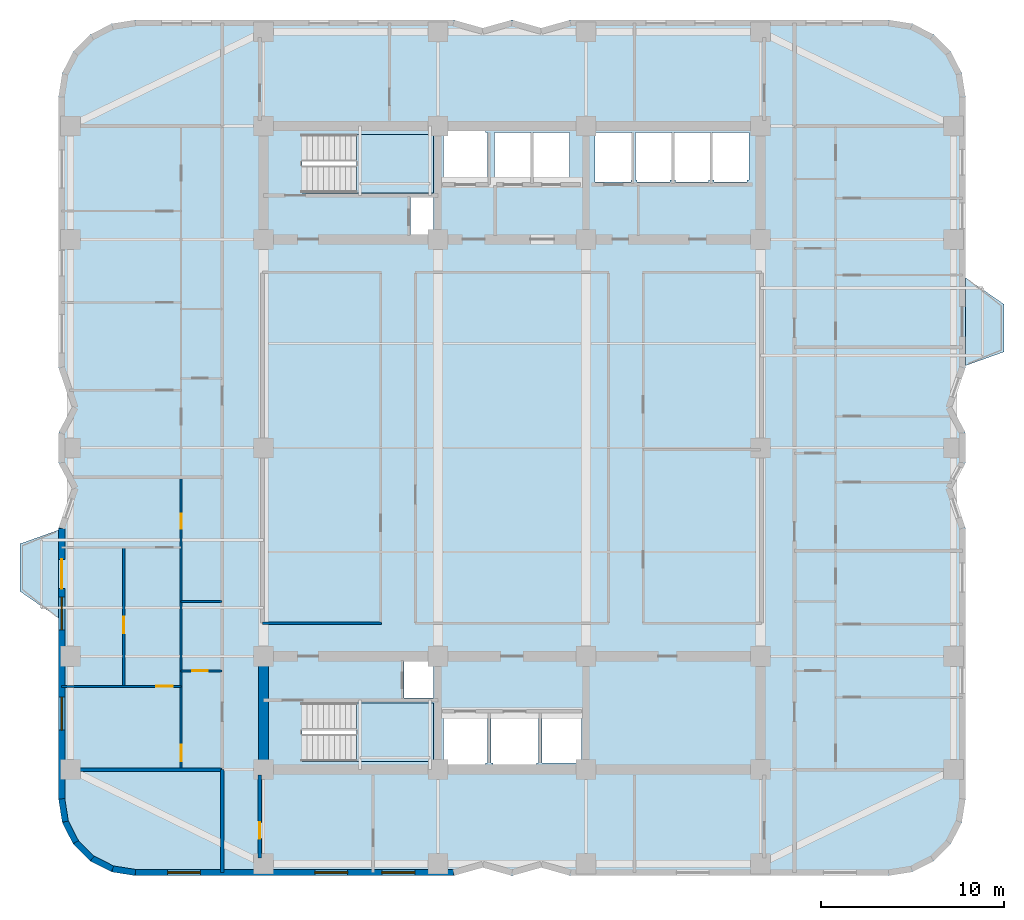
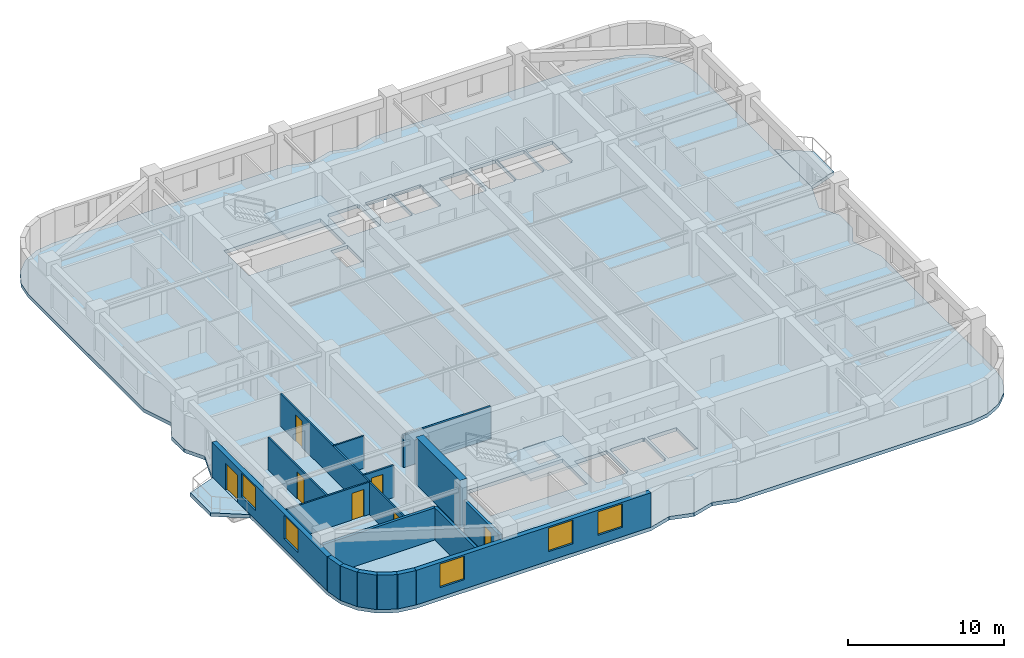
# One storey, part 2 of 9: 17 walls, 7 doors, 5 slabs, 5 windows, 12 openings, 2 elements without a shape of their own.
"""IFC4 building model written with IfcOpenShell, lengths in metres."""

from ifc_helpers import new_model, si_unit, direction, frame, frame_2d, origin, place, context, subcontext, project, spatial, polyline, rectangle, outline, extrude, material, layer, layer_set, type_object, element, fill, aggregate, save


model = new_model("IFC4")

# Units and contexts
model_context = context("Model", 3, precision=1e-05, world=origin(), true_north=direction((0.0, 1.0)))
body_context = subcontext(model_context, "Body", "Model", "MODEL_VIEW")
ifc_project = project(units=[si_unit("LENGTHUNIT", "METRE"), si_unit("AREAUNIT", "SQUARE_METRE"), si_unit("VOLUMEUNIT", "CUBIC_METRE"), si_unit("PLANEANGLEUNIT", "RADIAN"), si_unit("MASSUNIT", "GRAM", prefix="KILO")], contexts=[model_context])

# Site, building, storey
site_placement = place(None, origin())
site = spatial("IfcSite", under=ifc_project, at=site_placement, CompositionType="ELEMENT")
building_placement = place(site_placement, origin())
building = spatial("IfcBuilding", under=site, at=building_placement, Name="Svetorya Sky Lyceum", CompositionType="ELEMENT")
storey_placement = place(building_placement, frame((0.0, 0.0, 121.60009765625)))
storey = spatial("IfcBuildingStorey", under=building, at=storey_placement, Name="L30", CompositionType="ELEMENT", Elevation=121.60009765625)

# Slabs
ifc_material_1 = material(Name="Concrete C40/50", Category="concrete")
ifc_layer_1 = layer(ifc_material_1, 0.280029296875)
ifc_layer_set_1 = layer_set([ifc_layer_1], Name="Concrete C40/50")
slab_type_1 = type_object("IfcSlabType", Name="SL-BAL-280", PredefinedType="FLOOR", material=ifc_layer_set_1)
slab_1_placement = place(storey_placement, frame((0.0, 0.0, -0.280029296875)))
element("IfcSlab", 1, at=slab_1_placement, inside=storey, type_object=slab_type_1, Name="L30 Chamfered Loggia Balcony BAL-W1", PredefinedType="FLOOR", context=body_context, shape_type="SweptSolid", body=[
    extrude(outline(polyline([(14.389892578125, 18.89990234375), (14.389892578125, 23.699951171875), (12.2900390625, 22.949951171875), (12.2900390625, 20.35009765625), (14.389892578125, 18.89990234375)])), origin(), (0.0, 0.0, 1.0), 0.280029296875),
])
slab_2_placement = place(storey_placement, frame((0.0, 0.0, -0.280029296875)))
element("IfcSlab", 2, at=slab_2_placement, inside=storey, type_object=slab_type_1, Name="L30 Chamfered Loggia Balcony BAL-E1", PredefinedType="FLOOR", context=body_context, shape_type="SweptSolid", body=[
    extrude(outline(polyline([(64.010009765625, 32.699951171875), (66.110107421875, 33.449951171875), (66.110107421875, 36.050048828125), (64.010009765625, 37.5), (64.010009765625, 32.699951171875)])), origin(), (0.0, 0.0, 1.0), 0.280029296875),
])

# Stair, slab
stair_type_1 = type_object("IfcStairType", Name="STR-ST-S", PredefinedType="HALF_TURN_STAIR", material=ifc_material_1)
stair_1_placement = place(storey_placement, origin())
stair_1 = element("IfcStair", 3, at=stair_1_placement, inside=storey, type_object=stair_type_1, Name="L30 South Core Smoke-Free Exit Stair N2", PredefinedType="HALF_TURN_STAIR")
ifc_layer_2 = layer(ifc_material_1, 0.199951171875)
ifc_layer_set_2 = layer_set([ifc_layer_2], Name="Concrete C40/50")
slab_type_2 = type_object("IfcSlabType", Name="SL-STR-LAND-200", PredefinedType="LANDING", material=ifc_layer_set_2)
slab_3_placement = place(storey_placement, frame((0.0, 0.0, 1.64990234375)))
slab_3 = element("IfcSlab", 4, at=slab_3_placement, type_object=slab_type_2, Name="ST-S landing 1", PredefinedType="LANDING", context=body_context, shape_type="SweptSolid", body=[
    extrude(outline(polyline([(30.699951171875, 11.050048828125), (34.89990234375, 11.050048828125), (34.89990234375, 14.25), (30.699951171875, 14.25), (30.699951171875, 11.050048828125)])), origin(), (0.0, 0.0, 1.0), 0.199951171875),
])
aggregate(stair_1, [slab_3])

stair_type_2 = type_object("IfcStairType", Name="STR-ST-N", PredefinedType="HALF_TURN_STAIR", material=ifc_material_1)
stair_2_placement = place(storey_placement, origin())
stair_2 = element("IfcStair", 5, at=stair_2_placement, inside=storey, type_object=stair_type_2, Name="L30 North Core Smoke-Free Exit Stair N3", PredefinedType="HALF_TURN_STAIR")
slab_4_placement = place(storey_placement, frame((0.0, 0.0, 1.64990234375)))
slab_4 = element("IfcSlab", 6, at=slab_4_placement, type_object=slab_type_2, Name="ST-N landing 1", PredefinedType="LANDING", context=body_context, shape_type="SweptSolid", body=[
    extrude(outline(polyline([(30.699951171875, 42.14990234375), (34.89990234375, 42.14990234375), (34.89990234375, 45.35009765625), (30.699951171875, 45.35009765625), (30.699951171875, 42.14990234375)])), origin(), (0.0, 0.0, 1.0), 0.199951171875),
])
aggregate(stair_2, [slab_4])

# Slab
ifc_material_2 = material(Name="Concrete C50/60", Category="concrete")
ifc_layer_3 = layer(ifc_material_2, 0.280029296875)
ifc_layer_set_3 = layer_set([ifc_layer_3], Name="Concrete C50/60")
slab_type_3 = type_object("IfcSlabType", Name="SL-TWR-280", PredefinedType="FLOOR", material=ifc_layer_set_3)
slab_5_placement = place(storey_placement, frame((0.0, 0.0, -0.280029296875)))
element("IfcSlab", 7, at=slab_5_placement, inside=storey, type_object=slab_type_3, Name="L30 Structural Floor Slab", PredefinedType="FLOOR", context=body_context, shape_type="SweptSolid", body=[
    extrude(outline(polyline([(14.39990234375, 9.0), (14.605712890625, 7.7021484375), (15.2021484375, 6.53125), (16.13134765625, 5.60205078125), (17.302001953125, 5.005615234375), (18.60009765625, 4.800048828125), (36.0, 4.800048828125), (37.60009765625, 5.25), (39.199951171875, 4.800048828125), (40.800048828125, 5.25), (42.39990234375, 4.800048828125), (59.800048828125, 4.800048828125), (61.097900390625, 5.005615234375), (62.268798828125, 5.60205078125), (63.197998046875, 6.53125), (63.79443359375, 7.7021484375), (64.0, 9.0), (64.0, 23.800048828125), (63.25, 26.0), (64.0, 27.39990234375), (64.0, 29.0), (63.25, 30.39990234375), (64.0, 32.60009765625), (64.0, 47.39990234375), (63.79443359375, 48.697998046875), (63.197998046875, 49.86865234375), (62.268798828125, 50.7978515625), (61.097900390625, 51.394287109375), (59.800048828125, 51.60009765625), (42.39990234375, 51.60009765625), (40.800048828125, 51.14990234375), (39.199951171875, 51.60009765625), (37.60009765625, 51.14990234375), (36.0, 51.60009765625), (18.60009765625, 51.60009765625), (17.302001953125, 51.394287109375), (16.13134765625, 50.7978515625), (15.2021484375, 49.86865234375), (14.605712890625, 48.697998046875), (14.39990234375, 47.39990234375), (14.39990234375, 32.60009765625), (15.14990234375, 30.39990234375), (14.39990234375, 29.0), (14.39990234375, 27.39990234375), (15.14990234375, 26.0), (14.39990234375, 23.800048828125), (14.39990234375, 9.0)]), holes=[polyline([(37.85009765625, 10.949951171875), (37.75, 10.949951171875), (37.75, 10.85009765625), (35.550048828125, 10.85009765625), (35.550048828125, 10.949951171875), (35.449951171875, 10.949951171875), (35.449951171875, 13.64990234375), (35.550048828125, 13.64990234375), (37.75, 13.64990234375), (37.85009765625, 13.64990234375), (37.85009765625, 10.949951171875)]), polyline([(40.64990234375, 13.64990234375), (40.64990234375, 10.949951171875), (40.550048828125, 10.949951171875), (40.550048828125, 10.800048828125), (38.14990234375, 10.800048828125), (38.14990234375, 10.949951171875), (38.050048828125, 10.949951171875), (38.050048828125, 13.64990234375), (38.14990234375, 13.64990234375), (38.14990234375, 13.699951171875), (40.550048828125, 13.699951171875), (40.550048828125, 13.64990234375), (40.64990234375, 13.64990234375)]), polyline([(27.719970703125, 14.25), (34.89990234375, 14.25), (34.89990234375, 11.050048828125), (27.719970703125, 11.050048828125), (27.719970703125, 14.25)]), polyline([(33.300048828125, 14.52001953125), (33.300048828125, 16.580078125), (34.89990234375, 16.580078125), (34.89990234375, 14.52001953125), (33.300048828125, 14.52001953125)]), polyline([(33.64990234375, 41.89990234375), (34.89990234375, 41.89990234375), (34.89990234375, 39.820068359375), (33.64990234375, 39.820068359375), (33.64990234375, 41.89990234375)]), polyline([(27.719970703125, 45.35009765625), (34.89990234375, 45.35009765625), (34.89990234375, 42.14990234375), (27.719970703125, 42.14990234375), (27.719970703125, 45.35009765625)]), polyline([(37.75, 45.550048828125), (37.75, 45.449951171875), (37.85009765625, 45.449951171875), (37.85009765625, 42.75), (37.75, 42.75), (35.550048828125, 42.75), (35.449951171875, 42.75), (35.449951171875, 45.449951171875), (35.550048828125, 45.449951171875), (35.550048828125, 45.550048828125), (37.75, 45.550048828125)]), polyline([(38.39990234375, 42.85009765625), (38.25, 42.85009765625), (38.25, 45.449951171875), (38.39990234375, 45.449951171875), (40.199951171875, 45.449951171875), (40.25, 45.449951171875), (40.25, 42.85009765625), (40.199951171875, 42.85009765625), (40.199951171875, 42.75), (38.39990234375, 42.75), (38.39990234375, 42.85009765625)]), polyline([(40.85009765625, 13.64990234375), (43.0, 13.64990234375), (43.0, 10.949951171875), (40.85009765625, 10.949951171875), (40.85009765625, 13.64990234375)]), polyline([(40.39990234375, 42.85009765625), (40.35009765625, 42.85009765625), (40.35009765625, 45.449951171875), (40.39990234375, 45.449951171875), (42.300048828125, 45.449951171875), (42.35009765625, 45.449951171875), (42.35009765625, 42.85009765625), (42.300048828125, 42.85009765625), (42.300048828125, 42.75), (40.39990234375, 42.75), (40.39990234375, 42.85009765625)]), polyline([(43.75, 42.75), (43.75, 42.85009765625), (43.75, 45.449951171875), (45.699951171875, 45.449951171875), (45.75, 45.449951171875), (45.75, 42.85009765625), (45.699951171875, 42.85009765625), (45.699951171875, 42.75), (43.75, 42.75)]), polyline([(46.050048828125, 42.85009765625), (45.949951171875, 42.85009765625), (45.949951171875, 45.449951171875), (46.050048828125, 45.449951171875), (47.85009765625, 45.449951171875), (47.949951171875, 45.449951171875), (47.949951171875, 42.85009765625), (47.85009765625, 42.85009765625), (47.85009765625, 42.75), (46.050048828125, 42.75), (46.050048828125, 42.85009765625)]), polyline([(48.14990234375, 42.85009765625), (48.050048828125, 42.85009765625), (48.050048828125, 45.449951171875), (48.14990234375, 45.449951171875), (49.949951171875, 45.449951171875), (50.050048828125, 45.449951171875), (50.050048828125, 42.85009765625), (49.949951171875, 42.85009765625), (49.949951171875, 42.75), (48.14990234375, 42.75), (48.14990234375, 42.85009765625)]), polyline([(52.14990234375, 42.85009765625), (52.050048828125, 42.85009765625), (52.050048828125, 42.75), (50.25, 42.75), (50.25, 42.85009765625), (50.14990234375, 42.85009765625), (50.14990234375, 45.449951171875), (50.25, 45.449951171875), (52.050048828125, 45.449951171875), (52.14990234375, 45.449951171875), (52.14990234375, 42.85009765625)])]), origin(), (0.0, 0.0, 1.0), 0.280029296875),
])

# Walls
ifc_material_3 = material(Name="Concrete C60/75", Category="concrete")
ifc_layer_4 = layer(ifc_material_3, 0.550048828125)
ifc_layer_set_4 = layer_set([ifc_layer_4], Name="Concrete C60/75")
wall_type_1 = type_object("IfcWallType", Name="WL-CORE-550", PredefinedType="SHEAR", material=ifc_layer_set_4)
wall_1_placement = place(storey_placement, frame((25.60009765625, 10.875, 0.0), z_axis=(0.0, 0.0, 1.0), x_axis=(0.0, 1.0, 0.0)))
element("IfcWall", 8, at=wall_1_placement, inside=storey, type_object=wall_type_1, Name="L30 SC West Core Shear Wall", PredefinedType="SHEAR", context=body_context, shape_type="SweptSolid", body=[
    extrude(rectangle(XDim=5.64990234375, YDim=0.550048828125, at=frame_2d((2.824951171875, 0.0))), origin(), (0.0, 0.0, 1.0), 3.699951171875),
])
ifc_material_4 = material(Name="Putilovo limestone rainscreen on autoclaved cellular masonry", Category="masonry")
ifc_layer_5 = layer(ifc_material_4, 0.340087890625)
ifc_layer_set_5 = layer_set([ifc_layer_5], Name="Putilovo limestone rainscreen on autoclaved cellular masonry")
wall_type_2 = type_object("IfcWallType", Name="WL-EXT-340", PredefinedType="SOLIDWALL", material=ifc_layer_set_5)
wall_2_placement = place(storey_placement, frame((14.570068359375, 9.0, 0.0), z_axis=(0.0, 0.0, 1.0), x_axis=(0.156260864002, -0.98771582066, 0.0)))
element("IfcWall", 9, at=wall_2_placement, inside=storey, type_object=wall_type_2, Name="L30 Limestone Exterior Wall 1M", PredefinedType="SOLIDWALL", context=body_context, shape_type="SweptSolid", body=[
    extrude(rectangle(XDim=1.2607421875, YDim=0.340087890625, at=frame_2d((0.63037109375, 0.0))), origin(), (0.0, 0.0, 1.0), 2.699951171875),
])
wall_3_placement = place(storey_placement, frame((14.76708984375, 7.754638671875, 0.0), z_axis=(0.0, 0.0, 1.0), x_axis=(0.454015689056, -0.890993689142, 0.0)))
element("IfcWall", 10, at=wall_3_placement, inside=storey, type_object=wall_type_2, Name="L30 Limestone Exterior Wall 2M", PredefinedType="SOLIDWALL", context=body_context, shape_type="SweptSolid", body=[
    extrude(rectangle(XDim=1.260986328125, YDim=0.340087890625, at=frame_2d((0.63037109375, 0.0))), origin(), (0.0, 0.0, 1.0), 2.699951171875),
])
wall_4_placement = place(storey_placement, frame((15.339599609375, 6.631103515625, 0.0), z_axis=(0.0, 0.0, 1.0), x_axis=(0.707203598708, -0.707009950407, 0.0)))
element("IfcWall", 11, at=wall_4_placement, inside=storey, type_object=wall_type_2, Name="L30 Limestone Exterior Wall 3M", PredefinedType="SOLIDWALL", context=body_context, shape_type="SweptSolid", body=[
    extrude(rectangle(XDim=1.2607421875, YDim=0.340087890625, at=frame_2d((0.63037109375, 0.0))), origin(), (0.0, 0.0, 1.0), 2.699951171875),
])
for number, where, z_axis, x_axis, name in (
    (12, (16.231201171875, 5.73974609375, 0.0), (0.0, 0.0, 1.0), (0.890993689142, -0.454015689056, 0.0), "L30 Limestone Exterior Wall 4M"),
    (13, (17.354736328125, 5.167236328125, 0.0), (0.0, 0.0, 1.0), (0.987685918112, -0.15644975923, 0.0), "L30 Limestone Exterior Wall 5M"),
):
    element("IfcWall", number, at=place(storey_placement, frame(where, z_axis=z_axis, x_axis=x_axis)), inside=storey, type_object=wall_type_2, Name=name, PredefinedType="SOLIDWALL", context=body_context, shape_type="SweptSolid", body=[
        extrude(rectangle(XDim=1.260986328125, YDim=0.340087890625, at=frame_2d((0.63037109375, 0.0))), origin(), (0.0, 0.0, 1.0), 2.699951171875),
    ])

# Wall, openings, windows
wall_5_placement = place(storey_placement, frame((18.60009765625, 4.969970703125, 0.0), z_axis=(0.0, 0.0, 1.0), x_axis=(1.0, 0.0, 0.0)))
wall_5 = element("IfcWall", 14, at=wall_5_placement, inside=storey, type_object=wall_type_2, Name="L30 Limestone Exterior Wall 6M", PredefinedType="SOLIDWALL", context=body_context, shape_type="SweptSolid", body=[
    extrude(rectangle(XDim=17.39990234375, YDim=0.340087890625, at=frame_2d((8.699951171875, 0.0))), origin(), (0.0, 0.0, 1.0), 2.699951171875),
])
opening_1_placement = place(wall_5_placement, frame((1.762451171875, 0.0, 0.72998046875)))
opening_1 = element("IfcOpeningElement", 15, at=opening_1_placement, cuts=wall_5, Name="Opening W-R1", PredefinedType="OPENING", context=body_context, shape_type="SweptSolid", body=[
    extrude(rectangle(XDim=1.800048828125, YDim=1.85009765625, at=frame_2d((0.89990234375, 0.925048828125))), frame((0.0, 0.179931640625, 0.0), z_axis=(0.0, -1.0, 0.0), x_axis=(1.0, 0.0, 0.0)), (0.0, 0.0, 1.0), 0.360107421875),
])
opening_2_placement = place(wall_5_placement, frame((9.8125, 0.0, 0.72998046875)))
opening_2 = element("IfcOpeningElement", 16, at=opening_2_placement, cuts=wall_5, Name="Opening W-R1", PredefinedType="OPENING", context=body_context, shape_type="SweptSolid", body=[
    extrude(rectangle(XDim=1.800048828125, YDim=1.85009765625, at=frame_2d((0.89990234375, 0.925048828125))), frame((0.0, 0.179931640625, 0.0), z_axis=(0.0, -1.0, 0.0), x_axis=(1.0, 0.0, 0.0)), (0.0, 0.0, 1.0), 0.360107421875),
])
opening_3_placement = place(wall_5_placement, frame((13.487548828125, 0.0, 0.72998046875)))
opening_3 = element("IfcOpeningElement", 17, at=opening_3_placement, cuts=wall_5, Name="Opening W-R1", PredefinedType="OPENING", context=body_context, shape_type="SweptSolid", body=[
    extrude(rectangle(XDim=1.800048828125, YDim=1.85009765625, at=frame_2d((0.89990234375, 0.925048828125))), frame((0.0, 0.179931640625, 0.0), z_axis=(0.0, -1.0, 0.0), x_axis=(1.0, 0.0, 0.0)), (0.0, 0.0, 1.0), 0.360107421875),
])
ifc_material_5 = material(Name="Thermally broken aluminium frame with triple low-E glazing", Category="aluminium")
window_type = type_object("IfcWindowType", Name="WN-RES-180", PartitioningType="DOUBLE_PANEL_VERTICAL", PredefinedType="WINDOW", material=ifc_material_5)
window_1_placement = place(opening_1_placement, origin())
window_1 = element("IfcWindow", 18, at=window_1_placement, inside=storey, type_object=window_type, Name="L30 Facade Window W-R1.6M.1", OverallHeight=1.85009765625, OverallWidth=1.800048828125, PartitioningType="SINGLE_PANEL", PredefinedType="WINDOW", context=body_context, shape_type="SweptSolid", body=[
    extrude(rectangle(XDim=1.800048828125, YDim=1.85009765625, at=frame_2d((0.89990234375, 0.925048828125))), frame((0.0, 0.030029296875, 0.0), z_axis=(0.0, -1.0, 0.0), x_axis=(1.0, 0.0, 0.0)), (0.0, 0.0, 1.0), 0.06005859375),
])
fill(opening_1, window_1)
window_2_placement = place(opening_2_placement, origin())
window_2 = element("IfcWindow", 19, at=window_2_placement, inside=storey, type_object=window_type, Name="L30 Facade Window W-R1.6M.2", OverallHeight=1.85009765625, OverallWidth=1.800048828125, PartitioningType="SINGLE_PANEL", PredefinedType="WINDOW", context=body_context, shape_type="SweptSolid", body=[
    extrude(rectangle(XDim=1.800048828125, YDim=1.85009765625, at=frame_2d((0.89990234375, 0.925048828125))), frame((0.0, 0.030029296875, 0.0), z_axis=(0.0, -1.0, 0.0), x_axis=(1.0, 0.0, 0.0)), (0.0, 0.0, 1.0), 0.06005859375),
])
fill(opening_2, window_2)
window_3_placement = place(opening_3_placement, origin())
window_3 = element("IfcWindow", 20, at=window_3_placement, inside=storey, type_object=window_type, Name="L30 Facade Window W-R1.6M.3", OverallHeight=1.85009765625, OverallWidth=1.800048828125, PartitioningType="SINGLE_PANEL", PredefinedType="WINDOW", context=body_context, shape_type="SweptSolid", body=[
    extrude(rectangle(XDim=1.800048828125, YDim=1.85009765625, at=frame_2d((0.89990234375, 0.925048828125))), frame((0.0, 0.030029296875, 0.0), z_axis=(0.0, -1.0, 0.0), x_axis=(1.0, 0.0, 0.0)), (0.0, 0.0, 1.0), 0.06005859375),
])
fill(opening_3, window_3)

# Wall, openings, door, windows
wall_6_placement = place(storey_placement, frame((14.570068359375, 23.800048828125, 0.0), z_axis=(0.0, 0.0, 1.0), x_axis=(0.0, -1.0, 0.0)))
wall_6 = element("IfcWall", 21, at=wall_6_placement, inside=storey, type_object=wall_type_2, Name="L30 Limestone Exterior Wall 46M", PredefinedType="SOLIDWALL", context=body_context, shape_type="SweptSolid", body=[
    extrude(rectangle(XDim=14.800048828125, YDim=0.340087890625, at=frame_2d((7.39990234375, 0.0))), origin(), (0.0, 0.0, 1.0), 2.699951171875),
])
opening_4_placement = place(wall_6_placement, frame((1.699951171875, 0.0, 0.0)))
opening_4 = element("IfcOpeningElement", 22, at=opening_4_placement, cuts=wall_6, Name="Opening D-BL1", PredefinedType="OPENING", context=body_context, shape_type="SweptSolid", body=[
    extrude(rectangle(XDim=1.60009765625, YDim=2.10009765625, at=frame_2d((0.800048828125, 1.050048828125))), frame((0.0, 0.179931640625, 0.0), z_axis=(0.0, -1.0, 0.0), x_axis=(1.0, 0.0, 0.0)), (0.0, 0.0, 1.0), 0.360107421875),
])
opening_5_placement = place(wall_6_placement, frame((3.762451171875, 0.0, 0.72998046875)))
opening_5 = element("IfcOpeningElement", 23, at=opening_5_placement, cuts=wall_6, Name="Opening W-R1", PredefinedType="OPENING", context=body_context, shape_type="SweptSolid", body=[
    extrude(rectangle(XDim=1.800048828125, YDim=1.85009765625, at=frame_2d((0.89990234375, 0.925048828125))), frame((0.0, 0.179931640625, 0.0), z_axis=(0.0, -1.0, 0.0), x_axis=(1.0, 0.0, 0.0)), (0.0, 0.0, 1.0), 0.360107421875),
])
opening_6_placement = place(wall_6_placement, frame((9.237548828125, 0.0, 0.72998046875)))
opening_6 = element("IfcOpeningElement", 24, at=opening_6_placement, cuts=wall_6, Name="Opening W-R1", PredefinedType="OPENING", context=body_context, shape_type="SweptSolid", body=[
    extrude(rectangle(XDim=1.800048828125, YDim=1.85009765625, at=frame_2d((0.89990234375, 0.925048828125))), frame((0.0, 0.179931640625, 0.0), z_axis=(0.0, -1.0, 0.0), x_axis=(1.0, 0.0, 0.0)), (0.0, 0.0, 1.0), 0.360107421875),
])
ifc_material_6 = material(Name="Insulated glazed aluminium balcony door", Category="aluminium")
door_type_1 = type_object("IfcDoorType", Name="DR-BAL-1600", OperationType="DOUBLE_DOOR_SINGLE_SWING", PredefinedType="DOOR", material=ifc_material_6)
door_1_placement = place(opening_4_placement, origin())
door_1 = element("IfcDoor", 25, at=door_1_placement, inside=storey, type_object=door_type_1, Name="L30 Balcony BAL-W1 Door", OperationType="DOUBLE_DOOR_SINGLE_SWING", OverallHeight=2.10009765625, OverallWidth=1.60009765625, PredefinedType="DOOR", context=body_context, shape_type="SweptSolid", body=[
    extrude(rectangle(XDim=1.60009765625, YDim=2.10009765625, at=frame_2d((0.800048828125, 1.050048828125))), frame((0.0, 0.02490234375, 0.0), z_axis=(0.0, -1.0, 0.0), x_axis=(1.0, 0.0, 0.0)), (0.0, 0.0, 1.0), 0.050048828125),
])
fill(opening_4, door_1)
window_4_placement = place(opening_5_placement, origin())
window_4 = element("IfcWindow", 26, at=window_4_placement, inside=storey, type_object=window_type, Name="L30 Facade Window W-R1.46M.1", OverallHeight=1.85009765625, OverallWidth=1.800048828125, PartitioningType="SINGLE_PANEL", PredefinedType="WINDOW", context=body_context, shape_type="SweptSolid", body=[
    extrude(rectangle(XDim=1.800048828125, YDim=1.85009765625, at=frame_2d((0.89990234375, 0.925048828125))), frame((0.0, 0.030029296875, 0.0), z_axis=(0.0, -1.0, 0.0), x_axis=(1.0, 0.0, 0.0)), (0.0, 0.0, 1.0), 0.06005859375),
])
fill(opening_5, window_4)
window_5_placement = place(opening_6_placement, origin())
window_5 = element("IfcWindow", 27, at=window_5_placement, inside=storey, type_object=window_type, Name="L30 Facade Window W-R1.46M.2", OverallHeight=1.85009765625, OverallWidth=1.800048828125, PartitioningType="SINGLE_PANEL", PredefinedType="WINDOW", context=body_context, shape_type="SweptSolid", body=[
    extrude(rectangle(XDim=1.800048828125, YDim=1.85009765625, at=frame_2d((0.89990234375, 0.925048828125))), frame((0.0, 0.030029296875, 0.0), z_axis=(0.0, -1.0, 0.0), x_axis=(1.0, 0.0, 0.0)), (0.0, 0.0, 1.0), 0.06005859375),
])
fill(opening_6, window_5)

# Wall, opening, door
ifc_material_7 = material(Name="Twin-stud galvanized framing with double fireboard", Category="gypsum")
ifc_layer_6 = layer(ifc_material_7, 0.1201171875)
ifc_layer_set_6 = layer_set([ifc_layer_6], Name="Twin-stud galvanized framing with double fireboard")
wall_type_3 = type_object("IfcWallType", Name="WL-PART-120", PredefinedType="PARTITIONING", material=ifc_layer_set_6)
wall_7_placement = place(storey_placement, frame((21.10009765625, 16.0, 0.0), z_axis=(0.0, 0.0, 1.0), x_axis=(1.0, 0.0, 0.0)))
wall_7 = element("IfcWall", 28, at=wall_7_placement, inside=storey, type_object=wall_type_3, Name="L30 Interior Partition W1-WH1", PredefinedType="PARTITIONING", context=body_context, shape_type="SweptSolid", body=[
    extrude(rectangle(XDim=2.25, YDim=0.1201171875, at=frame_2d((1.125, 0.0))), origin(), (0.0, 0.0, 1.0), 2.52978515625),
])
opening_7_placement = place(wall_7_placement, frame((0.60009765625, 0.0, 0.0)))
opening_7 = element("IfcOpeningElement", 29, at=opening_7_placement, cuts=wall_7, Name="Opening D-BT1", PredefinedType="OPENING", context=body_context, shape_type="SweptSolid", body=[
    extrude(rectangle(XDim=0.85009765625, YDim=2.10009765625, at=frame_2d((0.425048828125, 1.050048828125))), frame((0.0, 0.070068359375, 0.0), z_axis=(0.0, -1.0, 0.0), x_axis=(1.0, 0.0, 0.0)), (0.0, 0.0, 1.0), 0.14013671875),
])
ifc_material_8 = material(Name="Moisture-resistant laminate bathroom door")
door_type_2 = type_object("IfcDoorType", Name="DR-WET-850", OperationType="SINGLE_SWING_LEFT", PredefinedType="DOOR", material=ifc_material_8)
door_2_placement = place(opening_7_placement, origin())
door_2 = element("IfcDoor", 30, at=door_2_placement, inside=storey, type_object=door_type_2, Name="Apartment W1 Bathroom Door", OperationType="SINGLE_SWING_LEFT", OverallHeight=2.10009765625, OverallWidth=0.85009765625, PredefinedType="DOOR", context=body_context, shape_type="SweptSolid", body=[
    extrude(rectangle(XDim=0.85009765625, YDim=2.10009765625, at=frame_2d((0.425048828125, 1.050048828125))), frame((0.0, 0.02490234375, 0.0), z_axis=(0.0, -1.0, 0.0), x_axis=(1.0, 0.0, 0.0)), (0.0, 0.0, 1.0), 0.050048828125),
])
fill(opening_7, door_2)

# Wall
wall_8_placement = place(storey_placement, frame((21.10009765625, 19.800048828125, 0.0), z_axis=(0.0, 0.0, 1.0), x_axis=(1.0, 0.0, 0.0)))
element("IfcWall", 31, at=wall_8_placement, inside=storey, type_object=wall_type_3, Name="L30 Interior Partition W1-WH2", PredefinedType="PARTITIONING", context=body_context, shape_type="SweptSolid", body=[
    extrude(rectangle(XDim=2.25, YDim=0.1201171875, at=frame_2d((1.125, 0.0))), origin(), (0.0, 0.0, 1.0), 2.52978515625),
])

# Wall, opening, door
wall_9_placement = place(storey_placement, frame((17.96630859375, 15.18994140625, 0.0), z_axis=(0.0, 0.0, 1.0), x_axis=(0.0, 1.0, 0.0)))
wall_9 = element("IfcWall", 32, at=wall_9_placement, inside=storey, type_object=wall_type_3, Name="L30 Interior Partition W1-BVD1", PredefinedType="PARTITIONING", context=body_context, shape_type="SweptSolid", body=[
    extrude(rectangle(XDim=7.52001953125, YDim=0.1201171875, at=frame_2d((3.760009765625, 0.0))), origin(), (0.0, 0.0, 1.0), 2.52978515625),
])
opening_8_placement = place(wall_9_placement, frame((2.860107421875, 0.0, 0.0)))
opening_8 = element("IfcOpeningElement", 33, at=opening_8_placement, cuts=wall_9, Name="Opening D-RM1", PredefinedType="OPENING", context=body_context, shape_type="SweptSolid", body=[
    extrude(rectangle(XDim=0.89990234375, YDim=2.10009765625, at=frame_2d((0.449951171875, 1.050048828125))), frame((0.0, 0.070068359375, 0.0), z_axis=(0.0, -1.0, 0.0), x_axis=(1.0, 0.0, 0.0)), (0.0, 0.0, 1.0), 0.14013671875),
])
ifc_material_9 = material(Name="Lacquered birch veneer internal door")
door_type_3 = type_object("IfcDoorType", Name="DR-INT-900", OperationType="SINGLE_SWING_LEFT", PredefinedType="DOOR", material=ifc_material_9)
door_3_placement = place(opening_8_placement, origin())
door_3 = element("IfcDoor", 34, at=door_3_placement, inside=storey, type_object=door_type_3, Name="Apartment W1 Suite Bedroom Door", OperationType="SINGLE_SWING_LEFT", OverallHeight=2.10009765625, OverallWidth=0.89990234375, PredefinedType="DOOR", context=body_context, shape_type="SweptSolid", body=[
    extrude(rectangle(XDim=0.89990234375, YDim=2.10009765625, at=frame_2d((0.449951171875, 1.050048828125))), frame((0.0, 0.02490234375, 0.0), z_axis=(0.0, -1.0, 0.0), x_axis=(1.0, 0.0, 0.0)), (0.0, 0.0, 1.0), 0.050048828125),
])
fill(opening_8, door_3)

wall_10_placement = place(storey_placement, frame((14.570068359375, 15.14990234375, 0.0), z_axis=(0.0, 0.0, 1.0), x_axis=(1.0, 0.0, 0.0)))
wall_10 = element("IfcWall", 35, at=wall_10_placement, inside=storey, type_object=wall_type_3, Name="L30 Interior Partition W1-WL1", PredefinedType="PARTITIONING", context=body_context, shape_type="SweptSolid", body=[
    extrude(rectangle(XDim=6.530029296875, YDim=0.1201171875, at=frame_2d((3.26513671875, 0.0))), origin(), (0.0, 0.0, 1.0), 2.52978515625),
])
opening_9_placement = place(wall_10_placement, frame((5.179931640625, 0.0, 0.0)))
opening_9 = element("IfcOpeningElement", 36, at=opening_9_placement, cuts=wall_10, Name="Opening D-RM1", PredefinedType="OPENING", context=body_context, shape_type="SweptSolid", body=[
    extrude(rectangle(XDim=0.89990234375, YDim=2.10009765625, at=frame_2d((0.449951171875, 1.050048828125))), frame((0.0, 0.070068359375, 0.0), z_axis=(0.0, -1.0, 0.0), x_axis=(1.0, 0.0, 0.0)), (0.0, 0.0, 1.0), 0.14013671875),
])
door_4_placement = place(opening_9_placement, origin())
door_4 = element("IfcDoor", 37, at=door_4_placement, inside=storey, type_object=door_type_3, Name="Apartment W1 Master Bedroom Door", OperationType="SINGLE_SWING_LEFT", OverallHeight=2.10009765625, OverallWidth=0.89990234375, PredefinedType="DOOR", context=body_context, shape_type="SweptSolid", body=[
    extrude(rectangle(XDim=0.89990234375, YDim=2.10009765625, at=frame_2d((0.449951171875, 1.050048828125))), frame((0.0, 0.02490234375, 0.0), z_axis=(0.0, -1.0, 0.0), x_axis=(1.0, 0.0, 0.0)), (0.0, 0.0, 1.0), 0.050048828125),
])
fill(opening_9, door_4)

# Wall, openings, doors
wall_11_placement = place(storey_placement, frame((21.10009765625, 10.639892578125, 0.0), z_axis=(0.0, 0.0, 1.0), x_axis=(0.0, 1.0, 0.0)))
wall_11 = element("IfcWall", 38, at=wall_11_placement, inside=storey, type_object=wall_type_3, Name="L30 Interior Partition W1-WV", PredefinedType="PARTITIONING", context=body_context, shape_type="SweptSolid", body=[
    extrude(rectangle(XDim=15.920166015625, YDim=0.1201171875, at=frame_2d((7.9599609375, 0.0))), origin(), (0.0, 0.0, 1.0), 2.52978515625),
])
opening_10_placement = place(wall_11_placement, frame((0.409912109375, 0.0, 0.0)))
opening_10 = element("IfcOpeningElement", 39, at=opening_10_placement, cuts=wall_11, Name="Opening D-RM1", PredefinedType="OPENING", context=body_context, shape_type="SweptSolid", body=[
    extrude(rectangle(XDim=0.89990234375, YDim=2.10009765625, at=frame_2d((0.449951171875, 1.050048828125))), frame((0.0, 0.070068359375, 0.0), z_axis=(0.0, -1.0, 0.0), x_axis=(1.0, 0.0, 0.0)), (0.0, 0.0, 1.0), 0.14013671875),
])
opening_11_placement = place(wall_11_placement, frame((13.125, 0.0, 0.0)))
opening_11 = element("IfcOpeningElement", 40, at=opening_11_placement, cuts=wall_11, Name="Opening D-BT2", PredefinedType="OPENING", context=body_context, shape_type="SweptSolid", body=[
    extrude(rectangle(XDim=0.820068359375, YDim=2.080078125, at=frame_2d((0.41015625, 1.0400390625))), frame((0.0, 0.070068359375, 0.0), z_axis=(0.0, -1.0, 0.0), x_axis=(1.0, 0.0, 0.0)), (0.0, 0.0, 1.0), 0.14013671875),
])
door_5_placement = place(opening_10_placement, origin())
door_5 = element("IfcDoor", 41, at=door_5_placement, inside=storey, type_object=door_type_3, Name="Apartment W1 Living Door", OperationType="SINGLE_SWING_RIGHT", OverallHeight=2.10009765625, OverallWidth=0.89990234375, PredefinedType="DOOR", context=body_context, shape_type="SweptSolid", body=[
    extrude(rectangle(XDim=0.89990234375, YDim=2.10009765625, at=frame_2d((0.449951171875, 1.050048828125))), frame((0.0, 0.02490234375, 0.0), z_axis=(0.0, -1.0, 0.0), x_axis=(1.0, 0.0, 0.0)), (0.0, 0.0, 1.0), 0.050048828125),
])
fill(opening_10, door_5)
ifc_material_10 = material(Name="Compact moisture-resistant laminate closet door")
door_type_4 = type_object("IfcDoorType", Name="DR-WET-820", OperationType="SINGLE_SWING_LEFT", PredefinedType="DOOR", material=ifc_material_10)
door_6_placement = place(opening_11_placement, origin())
door_6 = element("IfcDoor", 42, at=door_6_placement, inside=storey, type_object=door_type_4, Name="Apartment W1 Study Door", OperationType="SINGLE_SWING_LEFT", OverallHeight=2.080078125, OverallWidth=0.820068359375, PredefinedType="DOOR", context=body_context, shape_type="SweptSolid", body=[
    extrude(rectangle(XDim=0.820068359375, YDim=2.080078125, at=frame_2d((0.41015625, 1.0400390625))), frame((0.0, 0.02490234375, 0.0), z_axis=(0.0, -1.0, 0.0), x_axis=(1.0, 0.0, 0.0)), (0.0, 0.0, 1.0), 0.050048828125),
])
fill(opening_11, door_6)

# Walls
ifc_material_11 = material(Name="Autoclaved cellular masonry blockwork with acoustic render", Category="masonry")
ifc_layer_7 = layer(ifc_material_11, 0.14990234375)
ifc_layer_set_7 = layer_set([ifc_layer_7], Name="Autoclaved cellular masonry blockwork with acoustic render")
wall_type_4 = type_object("IfcWallType", Name="WL-PART-150", PredefinedType="PARTITIONING", material=ifc_layer_set_7)
wall_12_placement = place(storey_placement, frame((25.550048828125, 18.60009765625, 0.0), z_axis=(0.0, 0.0, 1.0), x_axis=(1.0, 0.0, 0.0)))
element("IfcWall", 43, at=wall_12_placement, inside=storey, type_object=wall_type_4, Name="L30 Interior Partition RL-CS-W", PredefinedType="PARTITIONING", context=body_context, shape_type="SweptSolid", body=[
    extrude(rectangle(XDim=6.5, YDim=0.14990234375, at=frame_2d((3.25, 0.0))), origin(), (0.0, 0.0, 1.0), 2.52978515625),
])
ifc_material_12 = material(Name="Autoclaved cellular masonry blockwork with gypsum plaster", Category="masonry")
ifc_layer_8 = layer(ifc_material_12, 0.199951171875)
ifc_layer_set_8 = layer_set([ifc_layer_8], Name="Autoclaved cellular masonry blockwork with gypsum plaster")
wall_type_5 = type_object("IfcWallType", Name="WL-PART-200", PredefinedType="PARTITIONING", material=ifc_layer_set_8)
wall_13_placement = place(storey_placement, frame((14.989990234375, 10.60009765625, 0.0), z_axis=(0.0, 0.0, 1.0), x_axis=(1.0, 0.0, 0.0)))
element("IfcWall", 44, at=wall_13_placement, inside=storey, type_object=wall_type_5, Name="L30 Interior Partition W-CAP-S", PredefinedType="PARTITIONING", context=body_context, shape_type="SweptSolid", body=[
    extrude(rectangle(XDim=8.360107421875, YDim=0.199951171875, at=frame_2d((4.18017578125, 0.0))), origin(), (0.0, 0.0, 1.0), 2.52978515625),
])
wall_14_placement = place(storey_placement, frame((23.35009765625, 4.969970703125, 0.0), z_axis=(0.0, 0.0, 1.0), x_axis=(0.0, 1.0, 0.0)))
element("IfcWall", 45, at=wall_14_placement, inside=storey, type_object=wall_type_5, Name="L30 Interior Partition WC-SW-END", PredefinedType="PARTITIONING", context=body_context, shape_type="SweptSolid", body=[
    extrude(rectangle(XDim=5.630126953125, YDim=0.199951171875, at=frame_2d((2.81494140625, 0.0))), origin(), (0.0, 0.0, 1.0), 2.52978515625),
])

# Wall, opening, door
wall_15_placement = place(storey_placement, frame((25.39990234375, 5.77001953125, 0.0), z_axis=(0.0, 0.0, 1.0), x_axis=(0.0, 1.0, 0.0)))
wall_15 = element("IfcWall", 46, at=wall_15_placement, inside=storey, type_object=wall_type_5, Name="L30 Interior Partition S-EW", PredefinedType="PARTITIONING", context=body_context, shape_type="SweptSolid", body=[
    extrude(rectangle(XDim=4.530029296875, YDim=0.199951171875, at=frame_2d((2.26513671875, 0.0))), origin(), (0.0, 0.0, 1.0), 2.52978515625),
])
opening_12_placement = place(wall_15_placement, frame((1.050048828125, 0.0, 0.0)))
opening_12 = element("IfcOpeningElement", 47, at=opening_12_placement, cuts=wall_15, Name="Opening D-RM1", PredefinedType="OPENING", context=body_context, shape_type="SweptSolid", body=[
    extrude(rectangle(XDim=0.89990234375, YDim=2.10009765625, at=frame_2d((0.449951171875, 1.050048828125))), frame((0.0, 0.10986328125, 0.0), z_axis=(0.0, -1.0, 0.0), x_axis=(1.0, 0.0, 0.0)), (0.0, 0.0, 1.0), 0.219970703125),
])
door_7_placement = place(opening_12_placement, origin())
door_7 = element("IfcDoor", 48, at=door_7_placement, inside=storey, type_object=door_type_3, Name="L30 South Study Door", OperationType="SINGLE_SWING_LEFT", OverallHeight=2.10009765625, OverallWidth=0.89990234375, PredefinedType="DOOR", context=body_context, shape_type="SweptSolid", body=[
    extrude(rectangle(XDim=0.89990234375, YDim=2.10009765625, at=frame_2d((0.449951171875, 1.050048828125))), frame((0.0, 0.02490234375, 0.0), z_axis=(0.0, -1.0, 0.0), x_axis=(1.0, 0.0, 0.0)), (0.0, 0.0, 1.0), 0.050048828125),
])
fill(opening_12, door_7)

save(model, "model.ifc")
